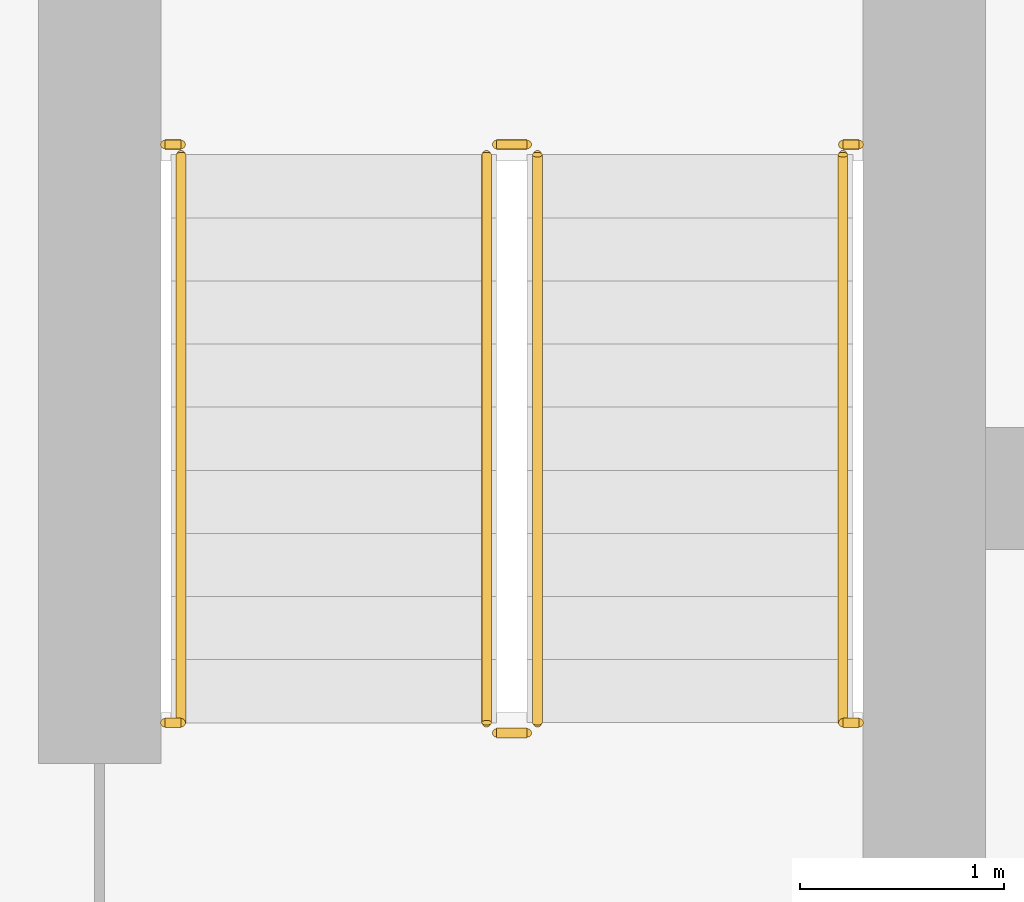
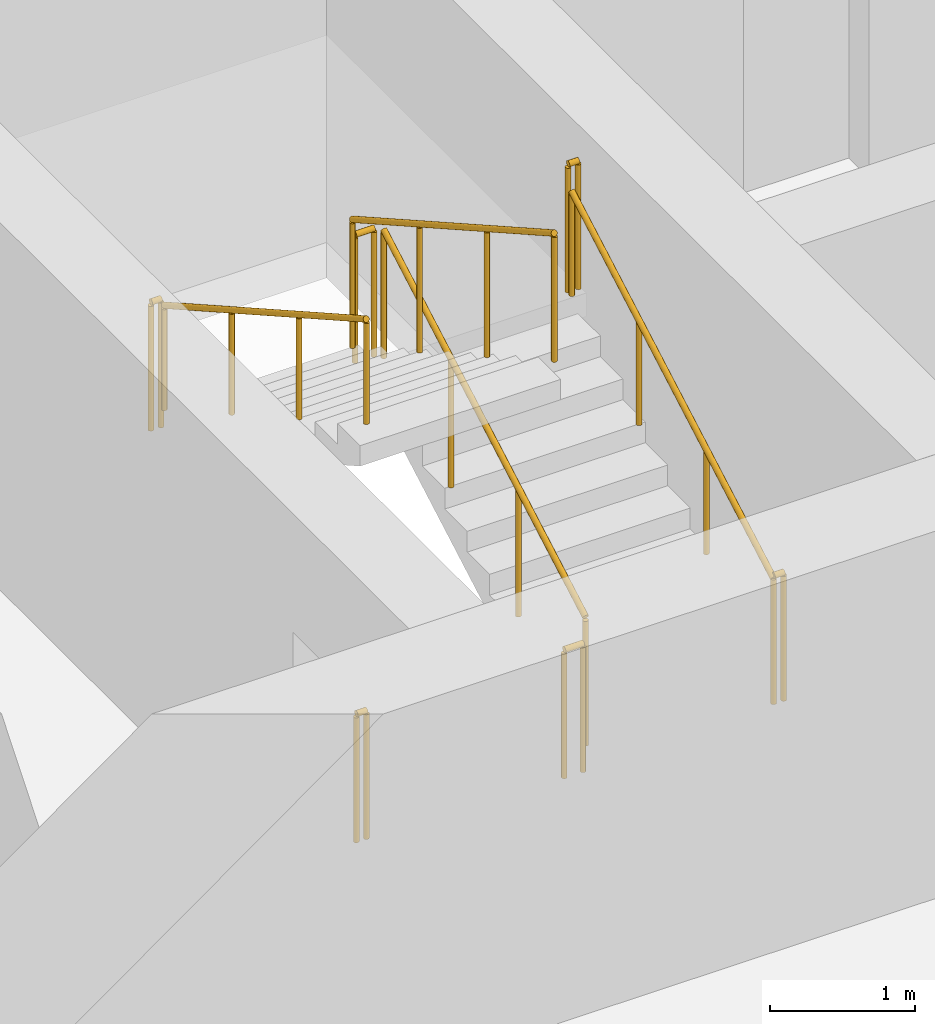
# One storey, part 18 of 22: 10 railings.
"""IFC4 building model written with IfcOpenShell, lengths in metres."""

import ifcopenshell
import ifcopenshell.guid

model = None  # the IFC model being written
_history = None  # IfcOwnerHistory: only IFC2X3 demands one
_inside = {}  # id of a spatial element -> (the spatial element, [elements in it])
_under = {}  # id of a project, library or spatial element -> (it, [spatial elements below it])
_declared = {}  # id of a project -> (the project, [libraries it declares])
_typed = {}  # id of a type object -> (the type object, [elements of that type])
_made_of = {}  # id of a material, layer set ... -> (it, [elements and type objects made of it])


def new_model(schema):
    """Start an empty IFC model of exactly this schema.

    Asked for "IFC4X3", IfcOpenShell would pick the latest addendum, in which some entities
    have other attributes; the version numbers below select the first issue.
    IFC2X3 requires an IfcOwnerHistory on every rooted entity: one is made here for all.
    """
    global model, _history
    if schema == "IFC4X3":
        model = ifcopenshell.file(schema_version=(4, 3, 0, 0))
    else:
        model = ifcopenshell.file(schema=schema)
    _inside.clear()
    _under.clear()
    _declared.clear()
    _typed.clear()
    _made_of.clear()
    _history = None
    if model.schema == "IFC2X3":
        org = make("IfcOrganization", Name="unknown")
        user = make(
            "IfcPersonAndOrganization",
            ThePerson=make("IfcPerson", FamilyName="unknown"),
            TheOrganization=org,
        )
        app = make(
            "IfcApplication",
            ApplicationDeveloper=org,
            Version="unknown",
            ApplicationFullName="unknown",
            ApplicationIdentifier="unknown",
        )
        _history = make(
            "IfcOwnerHistory",
            OwningUser=user,
            OwningApplication=app,
            ChangeAction="ADDED",
            CreationDate=0,
        )
    return model


def make(cls, **values):
    """One entity of the class cls with the attributes given. An attribute that is None is left unset."""
    return model.create_entity(
        cls, **{name: value for name, value in values.items() if value is not None}
    )


def rooted(cls, **values):
    """An entity with a GlobalId (a new one), such as an element, a storey or a relation."""
    return make(cls, GlobalId=ifcopenshell.guid.new(), OwnerHistory=_history, **values)


def si_unit(unit_type, name, prefix=None):
    """IfcSIUnit, for example si_unit("LENGTHUNIT", "METRE", prefix="MILLI")."""
    return make("IfcSIUnit", UnitType=unit_type, Prefix=prefix, Name=name)


def assignment(units):
    """IfcUnitAssignment: the units of a project."""
    return None if units is None else make("IfcUnitAssignment", Units=units)


def point(xyz):
    """IfcCartesianPoint."""
    return None if xyz is None else make("IfcCartesianPoint", Coordinates=xyz)


def direction(xyz):
    """IfcDirection."""
    return None if xyz is None else make("IfcDirection", DirectionRatios=xyz)


def frame(location, z_axis=None, x_axis=None):
    """IfcAxis2Placement3D, a coordinate frame: its origin and axes. An axis left out is left unset."""
    return make(
        "IfcAxis2Placement3D",
        Location=point(location),
        Axis=direction(z_axis),
        RefDirection=direction(x_axis),
    )


def frame_2d(location, x_axis=None):
    """IfcAxis2Placement2D, a coordinate frame in the plane: its origin and x axis."""
    return make(
        "IfcAxis2Placement2D", Location=point(location), RefDirection=direction(x_axis)
    )


def origin():
    """The frame at (0, 0, 0) with its axes left unset."""
    return frame((0.0, 0.0, 0.0))


def origin_2d():
    """The frame at (0, 0) in the plane with its x axis left unset."""
    return frame_2d((0.0, 0.0))


def place(relative_to, where):
    """IfcLocalPlacement: puts the frame where relative to a parent placement (None: the world)."""
    return make(
        "IfcLocalPlacement", PlacementRelTo=relative_to, RelativePlacement=where
    )


def context(
    kind, dimensions, precision=None, world=None, true_north=None, identifier=None
):
    """IfcGeometricRepresentationContext, for example the 3D "Model" context."""
    return make(
        "IfcGeometricRepresentationContext",
        ContextIdentifier=identifier,
        ContextType=kind,
        CoordinateSpaceDimension=dimensions,
        Precision=precision,
        WorldCoordinateSystem=world,
        TrueNorth=true_north,
    )


def subcontext(parent, identifier, kind, view, scale=None):
    """IfcGeometricRepresentationSubContext, for example "Body" below "Model"."""
    return make(
        "IfcGeometricRepresentationSubContext",
        ContextIdentifier=identifier,
        ContextType=kind,
        ParentContext=parent,
        TargetScale=scale,
        TargetView=view,
    )


def project(units=None, contexts=None):
    """IfcProject with its units and contexts."""
    return rooted(
        "IfcProject",
        Name="project",
        RepresentationContexts=contexts,
        UnitsInContext=assignment(units),
    )


def spatial(cls, under=None, at=None, **own):
    """A site, building, storey or space (cls), placed at a placement, below another one or the project."""
    s = rooted(cls, ObjectPlacement=at, **own)
    if under is not None:
        _under.setdefault(under.id(), (under, []))[1].append(s)
    return s


def profile(cls, at=None, kind="AREA", **sizes):
    """A parametric profile (cls). Its sizes go by their IFC names, for example OverallWidth=200.0."""
    return make(cls, ProfileType=kind, Position=at, **sizes)


def circle(**sizes):
    """IfcCircleProfileDef."""
    return profile("IfcCircleProfileDef", **sizes)


def extrude(swept, where, along, depth):
    """IfcExtrudedAreaSolid: the profile swept, set in the frame where, extruded along a direction by depth."""
    return make(
        "IfcExtrudedAreaSolid",
        SweptArea=swept,
        Position=where,
        ExtrudedDirection=direction(along),
        Depth=depth,
    )


def shape(context_of_items, identifier, shape_type, items):
    """IfcShapeRepresentation: the items that make up one representation, for example the "Body"."""
    return make(
        "IfcShapeRepresentation",
        ContextOfItems=context_of_items,
        RepresentationIdentifier=identifier,
        RepresentationType=shape_type,
        Items=items,
    )


def material(Name=None, Category=None):
    """IfcMaterial."""
    return make("IfcMaterial", Name=Name, Category=Category)


def made_of(thing, what):
    """Note that an element or type object is made of a material, layer set ...; save() writes the relation."""
    if what is not None:
        _made_of.setdefault(what.id(), (what, []))[1].append(thing)
    return thing


def type_object(cls, material=None, **own):
    """A type object (cls), such as IfcWallType, which elements share."""
    return made_of(rooted(cls, **own), material)


def element(
    cls,
    number,
    at=None,
    inside=None,
    cuts=None,
    type_object=None,
    material=None,
    context=None,
    identifier="Body",
    shape_type=None,
    held_by="IfcProductDefinitionShape",
    body=None,
    shapes=None,
    **own,
):
    """One element of the class cls, such as IfcWall. Its Tag is "e" and its number.

    at: its placement. inside: the storey or other place that contains it. cuts: it is an
    opening in that element (IfcRelVoidsElement). A single representation is given by context,
    identifier, shape_type and body (its items); several are given by shapes. held_by: the class
    of the entity that holds the representations. save() writes the other relations.
    """
    e = rooted(cls, Tag="e%d" % number, ObjectPlacement=at, **own)
    if body is not None:
        shapes = [shape(context, identifier, shape_type, body)]
    if shapes is not None:
        e.Representation = make(held_by, Representations=shapes)
    if inside is not None:
        _inside.setdefault(inside.id(), (inside, []))[1].append(e)
    if cuts is not None:
        rooted(
            "IfcRelVoidsElement", RelatingBuildingElement=cuts, RelatedOpeningElement=e
        )
    if type_object is not None:
        _typed.setdefault(type_object.id(), (type_object, []))[1].append(e)
    return made_of(e, material)


def aggregate(whole, parts):
    """IfcRelAggregates: a whole, such as a stair, and the parts it consists of."""
    return rooted("IfcRelAggregates", RelatingObject=whole, RelatedObjects=parts)


def save(model, path):
    """Write the relations noted so far, then the file.

    IfcRelAggregates (storeys below a building ...), IfcRelContainedInSpatialStructure (elements
    in a storey), IfcRelDefinesByType, IfcRelAssociatesMaterial and IfcRelDeclares: one each for
    every whole, place, type object, material and project.
    """
    for whole, parts in _under.values():
        aggregate(whole, parts)
    for where, things in _inside.values():
        rooted(
            "IfcRelContainedInSpatialStructure",
            RelatedElements=things,
            RelatingStructure=where,
        )
    for kind, things in _typed.values():
        rooted("IfcRelDefinesByType", RelatedObjects=things, RelatingType=kind)
    for what, things in _made_of.values():
        rooted("IfcRelAssociatesMaterial", RelatedObjects=things, RelatingMaterial=what)
    for by, libraries in _declared.values():
        rooted("IfcRelDeclares", RelatingContext=by, RelatedDefinitions=libraries)
    model.write(path)


model = new_model("IFC4")

# Units and contexts
model_context = context("Model", 3, precision=1e-05, world=origin(), true_north=direction((0.0, 1.0)))
body_context = subcontext(model_context, "Body", "Model", "MODEL_VIEW")
ifc_project = project(units=[si_unit("LENGTHUNIT", "METRE"), si_unit("AREAUNIT", "SQUARE_METRE"), si_unit("VOLUMEUNIT", "CUBIC_METRE"), si_unit("PLANEANGLEUNIT", "RADIAN"), si_unit("MASSUNIT", "GRAM", prefix="KILO")], contexts=[model_context])

# Site, building, storey
site_placement = place(None, origin())
site = spatial("IfcSite", under=ifc_project, at=site_placement, CompositionType="ELEMENT")
building_placement = place(site_placement, origin())
building = spatial("IfcBuilding", under=site, at=building_placement, Name="Madar Terraces", CompositionType="ELEMENT")
storey_placement = place(building_placement, frame((0.0, 0.0, 170.0)))
storey = spatial("IfcBuildingStorey", under=building, at=storey_placement, Name="L44", CompositionType="ELEMENT", Elevation=170.0)

# Railings
ifc_material_1 = material(Name="Stainless steel railing", Category="steel")
railing_type_1 = type_object("IfcRailingType", Name="Stair guard 1100", PredefinedType="GUARDRAIL", material=ifc_material_1)
railing_1_placement = place(storey_placement, frame((21.199951171875, 17.60009765625, 0.175048828125)))
element("IfcRailing", 1, at=railing_1_placement, inside=storey, type_object=railing_type_1, Name="L44 ST1 stair guard 1", PredefinedType="GUARDRAIL", context=body_context, shape_type="SweptSolid", body=[
    extrude(circle(Radius=0.02392578125, at=origin_2d()), frame((0.0, 0.0, 1.076171875), z_axis=(0.0, 0.870815363784, 0.491610213684), x_axis=(-1.0, 0.0, 0.0)), (0.0, 0.0, 1.0), 3.20361328125),
    extrude(circle(Radius=0.02099609375, at=origin_2d()), origin(), (0.0, 0.0, 1.0), 1.052001953125),
    extrude(circle(Radius=0.02099609375, at=origin_2d()), frame((0.0, 0.929931640625, 0.52490234375)), (0.0, 0.0, 1.0), 1.052001953125),
    extrude(circle(Radius=0.02099609375, at=origin_2d()), frame((0.0, 1.85986328125, 1.050048828125)), (0.0, 0.0, 1.0), 1.052001953125),
    extrude(circle(Radius=0.02099609375, at=origin_2d()), frame((0.0, 2.789794921875, 1.574951171875)), (0.0, 0.0, 1.0), 1.052001953125),
])
railing_2_placement = place(storey_placement, frame((21.14990234375, 20.43994140625, 1.75)))
element("IfcRailing", 2, at=railing_2_placement, inside=storey, type_object=railing_type_1, Name="L44 ST1 stair guard 2", PredefinedType="GUARDRAIL", context=body_context, shape_type="SweptSolid", body=[
    extrude(circle(Radius=0.02392578125, at=origin_2d()), frame((0.0, 0.0, 1.076171875), z_axis=(-1.0, 0.0, 0.0), x_axis=(0.0, -1.0, 0.0)), (0.0, 0.0, 1.0), 0.14990234375),
    extrude(circle(Radius=0.02099609375, at=origin_2d()), origin(), (0.0, 0.0, 1.0), 1.052001953125),
    extrude(circle(Radius=0.02099609375, at=origin_2d()), frame((-0.14990234375, 0.0, 0.0)), (0.0, 0.0, 1.0), 1.052001953125),
])
railing_3_placement = place(storey_placement, frame((20.949951171875, 20.389892578125, 1.925048828125)))
element("IfcRailing", 3, at=railing_3_placement, inside=storey, type_object=railing_type_1, Name="L44 ST1 stair guard 3", PredefinedType="GUARDRAIL", context=body_context, shape_type="SweptSolid", body=[
    extrude(circle(Radius=0.02392578125, at=origin_2d()), frame((0.0, 0.0, 1.076171875), z_axis=(0.0, -0.870815363784, 0.491610213684), x_axis=(1.0, 0.0, 0.0)), (0.0, 0.0, 1.0), 3.20361328125),
    extrude(circle(Radius=0.02099609375, at=origin_2d()), origin(), (0.0, 0.0, 1.0), 1.052001953125),
    extrude(circle(Radius=0.02099609375, at=origin_2d()), frame((0.0, -0.929931640625, 0.52490234375)), (0.0, 0.0, 1.0), 1.052001953125),
    extrude(circle(Radius=0.02099609375, at=origin_2d()), frame((0.0, -1.85986328125, 1.050048828125)), (0.0, 0.0, 1.0), 1.052001953125),
    extrude(circle(Radius=0.02099609375, at=origin_2d()), frame((0.0, -2.789794921875, 1.574951171875)), (0.0, 0.0, 1.0), 1.052001953125),
])
railing_4_placement = place(storey_placement, frame((21.14990234375, 17.550048828125, 0.0)))
element("IfcRailing", 4, at=railing_4_placement, inside=storey, type_object=railing_type_1, Name="L44 ST1 stair guard 4", PredefinedType="GUARDRAIL", context=body_context, shape_type="SweptSolid", body=[
    extrude(circle(Radius=0.02392578125, at=origin_2d()), frame((0.0, 0.0, 1.076171875), z_axis=(-1.0, 0.0, 0.0), x_axis=(0.0, -1.0, 0.0)), (0.0, 0.0, 1.0), 0.14990234375),
    extrude(circle(Radius=0.02099609375, at=origin_2d()), origin(), (0.0, 0.0, 1.0), 1.052001953125),
    extrude(circle(Radius=0.02099609375, at=origin_2d()), frame((-0.14990234375, 0.0, 0.0)), (0.0, 0.0, 1.0), 1.052001953125),
])
railing_5_placement = place(storey_placement, frame((19.3701171875, 20.43994140625, 1.75)))
element("IfcRailing", 5, at=railing_5_placement, inside=storey, type_object=railing_type_1, Name="L44 stair guard seat 1", PredefinedType="GUARDRAIL", context=body_context, shape_type="SweptSolid", body=[
    extrude(circle(Radius=0.02392578125, at=origin_2d()), frame((0.0, 0.0, 1.076171875), z_axis=(1.0, 0.0, 0.0), x_axis=(0.0, 1.0, 0.0)), (0.0, 0.0, 1.0), 0.079833984375),
    extrude(circle(Radius=0.02099609375, at=origin_2d()), origin(), (0.0, 0.0, 1.0), 1.052001953125),
    extrude(circle(Radius=0.02099609375, at=origin_2d()), frame((0.079833984375, 0.0, 0.0)), (0.0, 0.0, 1.0), 1.052001953125),
])
railing_6_placement = place(storey_placement, frame((22.699951171875, 20.43994140625, 1.75)))
element("IfcRailing", 6, at=railing_6_placement, inside=storey, type_object=railing_type_1, Name="L44 stair guard seat 2", PredefinedType="GUARDRAIL", context=body_context, shape_type="SweptSolid", body=[
    extrude(circle(Radius=0.02392578125, at=origin_2d()), frame((0.0, 0.0, 1.076171875), z_axis=(1.0, 0.0, 0.0), x_axis=(0.0, 1.0, 0.0)), (0.0, 0.0, 1.0), 0.080078125),
    extrude(circle(Radius=0.02099609375, at=origin_2d()), origin(), (0.0, 0.0, 1.0), 1.052001953125),
    extrude(circle(Radius=0.02099609375, at=origin_2d()), frame((0.080078125, 0.0, 0.0)), (0.0, 0.0, 1.0), 1.052001953125),
])
railing_7_placement = place(storey_placement, frame((19.3701171875, 17.60009765625, 0.0)))
element("IfcRailing", 7, at=railing_7_placement, inside=storey, type_object=railing_type_1, Name="L44 stair guard floor 1", PredefinedType="GUARDRAIL", context=body_context, shape_type="SweptSolid", body=[
    extrude(circle(Radius=0.02392578125, at=origin_2d()), frame((0.0, 0.0, 1.076171875), z_axis=(1.0, 0.0, 0.0), x_axis=(0.0, 1.0, 0.0)), (0.0, 0.0, 1.0), 0.079833984375),
    extrude(circle(Radius=0.02099609375, at=origin_2d()), origin(), (0.0, 0.0, 1.0), 1.052001953125),
    extrude(circle(Radius=0.02099609375, at=origin_2d()), frame((0.079833984375, 0.0, 0.0)), (0.0, 0.0, 1.0), 1.052001953125),
])
railing_8_placement = place(storey_placement, frame((22.699951171875, 17.60009765625, 0.0)))
element("IfcRailing", 8, at=railing_8_placement, inside=storey, type_object=railing_type_1, Name="L44 stair guard floor 2", PredefinedType="GUARDRAIL", context=body_context, shape_type="SweptSolid", body=[
    extrude(circle(Radius=0.02392578125, at=origin_2d()), frame((0.0, 0.0, 1.076171875), z_axis=(1.0, 0.0, 0.0), x_axis=(0.0, 1.0, 0.0)), (0.0, 0.0, 1.0), 0.080078125),
    extrude(circle(Radius=0.02099609375, at=origin_2d()), origin(), (0.0, 0.0, 1.0), 1.052001953125),
    extrude(circle(Radius=0.02099609375, at=origin_2d()), frame((0.080078125, 0.0, 0.0)), (0.0, 0.0, 1.0), 1.052001953125),
])
ifc_material_2 = material(Name="Stainless steel railing", Category="steel")
railing_type_2 = type_object("IfcRailingType", Name="Stair handrail 900", PredefinedType="HANDRAIL", material=ifc_material_2)
railing_9_placement = place(storey_placement, frame((22.699951171875, 17.60009765625, 0.175048828125)))
element("IfcRailing", 9, at=railing_9_placement, inside=storey, type_object=railing_type_2, Name="L44 ST1 stair handrail 1", PredefinedType="HANDRAIL", context=body_context, shape_type="SweptSolid", body=[
    extrude(circle(Radius=0.02392578125, at=origin_2d()), frame((0.0, 0.0, 0.8759765625), z_axis=(0.0, 0.870815363784, 0.491610213684), x_axis=(-1.0, 0.0, 0.0)), (0.0, 0.0, 1.0), 3.20361328125),
    extrude(circle(Radius=0.02099609375, at=origin_2d()), origin(), (0.0, 0.0, 1.0), 0.851806640625),
    extrude(circle(Radius=0.02099609375, at=origin_2d()), frame((0.0, 0.929931640625, 0.52490234375)), (0.0, 0.0, 1.0), 0.851806640625),
    extrude(circle(Radius=0.02099609375, at=origin_2d()), frame((0.0, 1.85986328125, 1.050048828125)), (0.0, 0.0, 1.0), 0.851806640625),
    extrude(circle(Radius=0.02099609375, at=origin_2d()), frame((0.0, 2.789794921875, 1.574951171875)), (0.0, 0.0, 1.0), 0.851806640625),
])
railing_10_placement = place(storey_placement, frame((19.449951171875, 20.389892578125, 1.925048828125)))
element("IfcRailing", 10, at=railing_10_placement, inside=storey, type_object=railing_type_2, Name="L44 ST1 stair handrail 2", PredefinedType="HANDRAIL", context=body_context, shape_type="SweptSolid", body=[
    extrude(circle(Radius=0.02392578125, at=origin_2d()), frame((0.0, 0.0, 0.8759765625), z_axis=(0.0, -0.870815363784, 0.491610213684), x_axis=(1.0, 0.0, 0.0)), (0.0, 0.0, 1.0), 3.20361328125),
    extrude(circle(Radius=0.02099609375, at=origin_2d()), origin(), (0.0, 0.0, 1.0), 0.851806640625),
    extrude(circle(Radius=0.02099609375, at=origin_2d()), frame((0.0, -0.929931640625, 0.52490234375)), (0.0, 0.0, 1.0), 0.851806640625),
    extrude(circle(Radius=0.02099609375, at=origin_2d()), frame((0.0, -1.85986328125, 1.050048828125)), (0.0, 0.0, 1.0), 0.851806640625),
    extrude(circle(Radius=0.02099609375, at=origin_2d()), frame((0.0, -2.789794921875, 1.574951171875)), (0.0, 0.0, 1.0), 0.851806640625),
])

save(model, "model.ifc")
